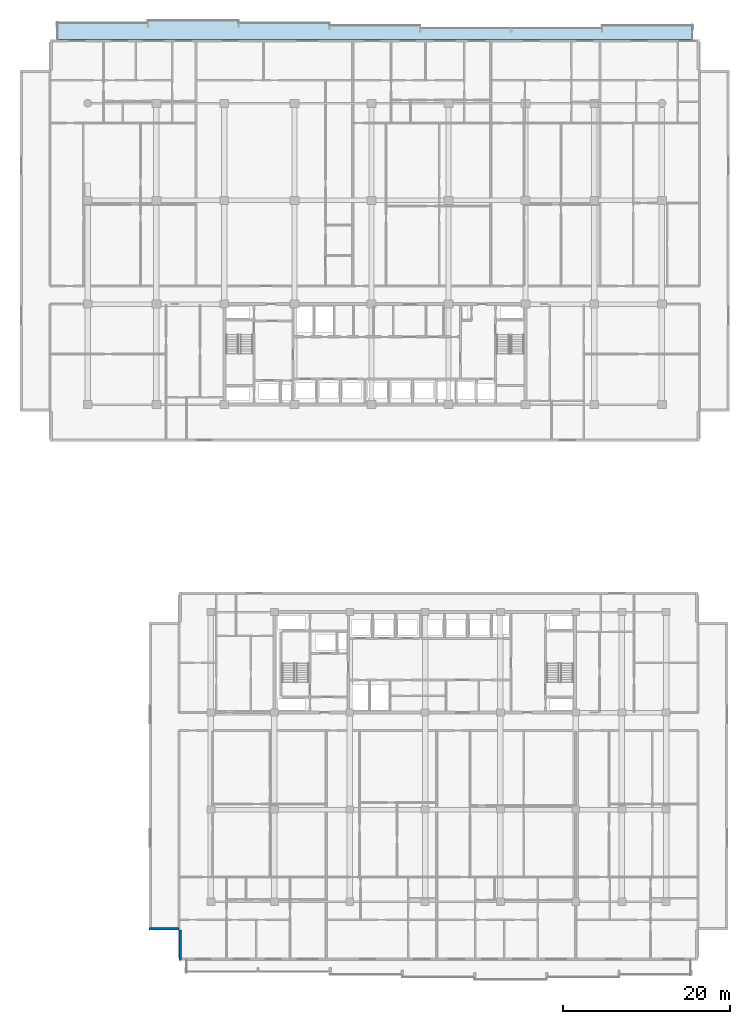
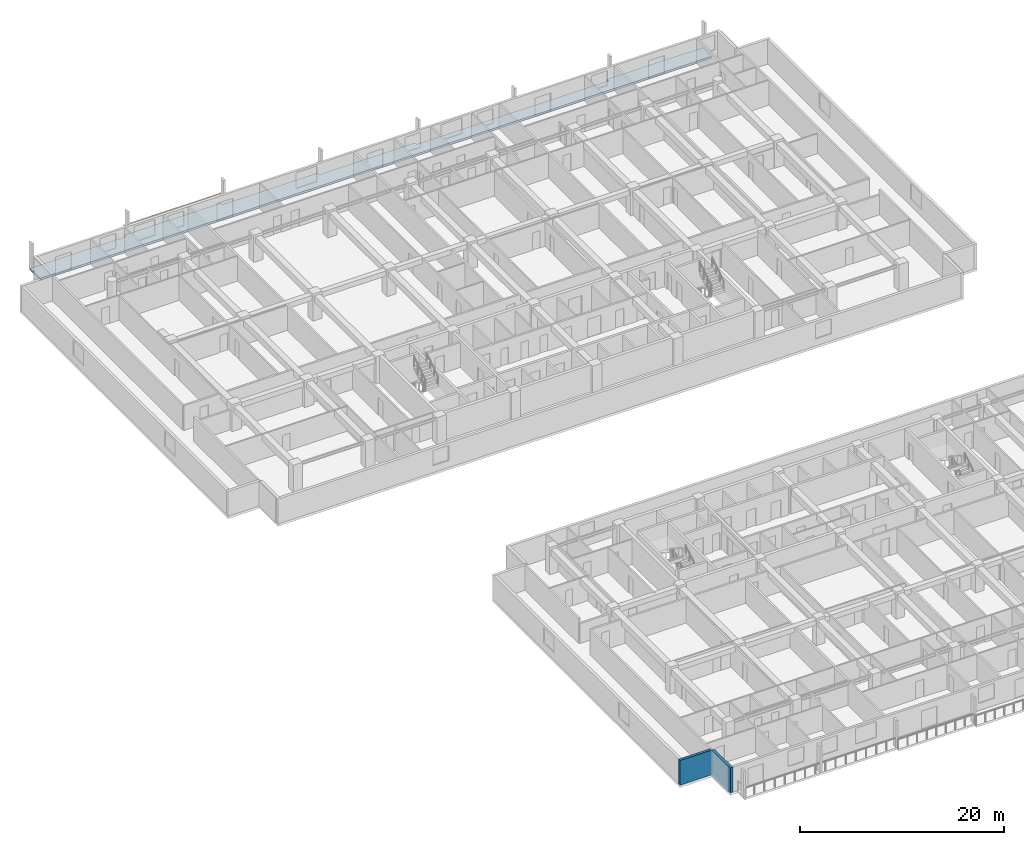
# One storey, part 3 of 23: 2 walls, 1 slab.
"""IFC4 building model written with IfcOpenShell, lengths in metres."""

from ifc_helpers import new_model, si_unit, direction, frame, frame_2d, origin, place, context, subcontext, project, spatial, polyline, rectangle, outline, extrude, material, layer, layer_set, type_object, element, save


model = new_model("IFC4")

# Units and contexts
model_context = context("Model", 3, precision=1e-05, world=origin(), true_north=direction((0.0, 1.0)))
body_context = subcontext(model_context, "Body", "Model", "MODEL_VIEW")
ifc_project = project(units=[si_unit("LENGTHUNIT", "METRE"), si_unit("AREAUNIT", "SQUARE_METRE"), si_unit("VOLUMEUNIT", "CUBIC_METRE"), si_unit("PLANEANGLEUNIT", "RADIAN"), si_unit("MASSUNIT", "GRAM", prefix="KILO")], contexts=[model_context])

# Site, building, storey
site_placement = place(None, origin())
site = spatial("IfcSite", under=ifc_project, at=site_placement, CompositionType="ELEMENT")
building_placement = place(site_placement, origin())
building = spatial("IfcBuilding", under=site, at=building_placement, Name="Korimba Cascade Residences", CompositionType="ELEMENT")
storey_placement = place(building_placement, frame((0.0, 0.0, 69.5)))
storey = spatial("IfcBuildingStorey", under=building, at=storey_placement, Name="L19", CompositionType="ELEMENT", Elevation=69.5)

# Slab
ifc_material = material(Name="Precast concrete C40/50", Category="concrete")
ifc_layer_1 = layer(ifc_material, 0.239990234375)
ifc_layer_set_1 = layer_set([ifc_layer_1], Name="Precast concrete C40/50")
slab_type = type_object("IfcSlabType", Name="SLB-LOG-240", PredefinedType="FLOOR", material=ifc_layer_set_1)
slab_placement = place(storey_placement, frame((0.0, 0.0, -0.239990234375)))
element("IfcSlab", 1, at=slab_placement, inside=storey, type_object=slab_type, Name="L19 Tower 1 North Loggia Slab", PredefinedType="FLOOR", context=body_context, shape_type="SweptSolid", body=[
    extrude(outline(polyline([(56.10009765625, 98.800048828125), (132.10009765625, 98.800048828125), (132.10009765625, 100.550048828125), (121.242919921875, 100.550048828125), (121.242919921875, 100.25), (99.528564453125, 100.25), (99.528564453125, 100.550048828125), (88.67138671875, 100.550048828125), (88.67138671875, 100.85009765625), (77.814208984375, 100.85009765625), (77.814208984375, 101.14990234375), (66.95703125, 101.14990234375), (66.95703125, 100.85009765625), (56.10009765625, 100.85009765625), (56.10009765625, 98.800048828125)])), origin(), (0.0, 0.0, 1.0), 0.239990234375),
])

# Walls
ifc_layer_2 = layer(ifc_material, 0.300048828125)
ifc_layer_set_2 = layer_set([ifc_layer_2], Name="Precast concrete C40/50")
wall_type = type_object("IfcWallType", Name="EW-STONE-300", PredefinedType="STANDARD", material=ifc_layer_set_2)
for number, where, z_axis, x_axis, name in (
    (2, (67.10009765625, -7.449951171875, 0.0), (0.0, 0.0, 1.0), (1.0, 0.0, 0.0), "L19 T2 Perimeter Stone Wall E10"),
    (3, (70.85009765625, -7.60009765625, 0.0), (0.0, 0.0, 1.0), (0.0, -1.0, 0.0), "L19 T2 Perimeter Stone Wall E11"),
):
    element("IfcWall", number, at=place(storey_placement, frame(where, z_axis=z_axis, x_axis=x_axis)), inside=storey, type_object=wall_type, Name=name, PredefinedType="STANDARD", context=body_context, shape_type="SweptSolid", body=[
        extrude(rectangle(XDim=3.599853515625, YDim=0.300048828125, at=frame_2d((1.7998046875, 0.0))), origin(), (0.0, 0.0, 1.0), 2.969970703125),
    ])

save(model, "model.ifc")
